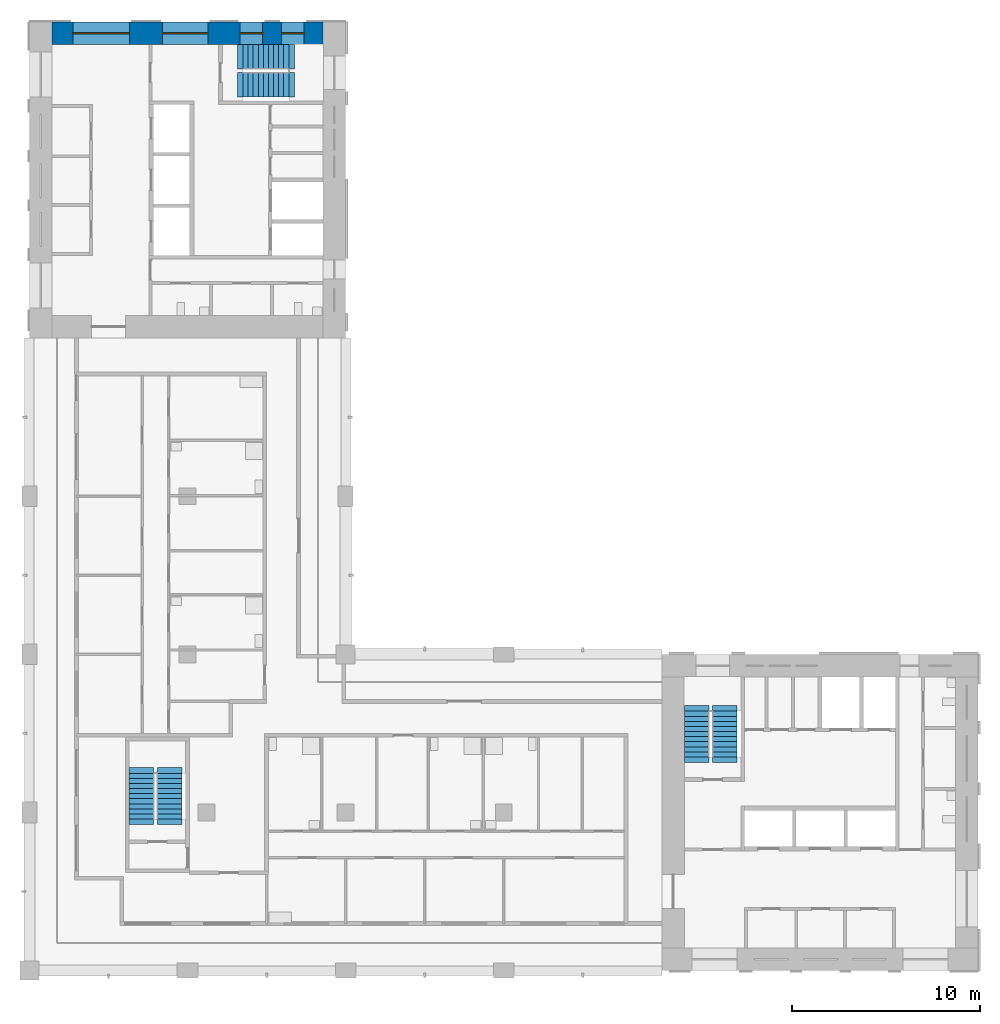
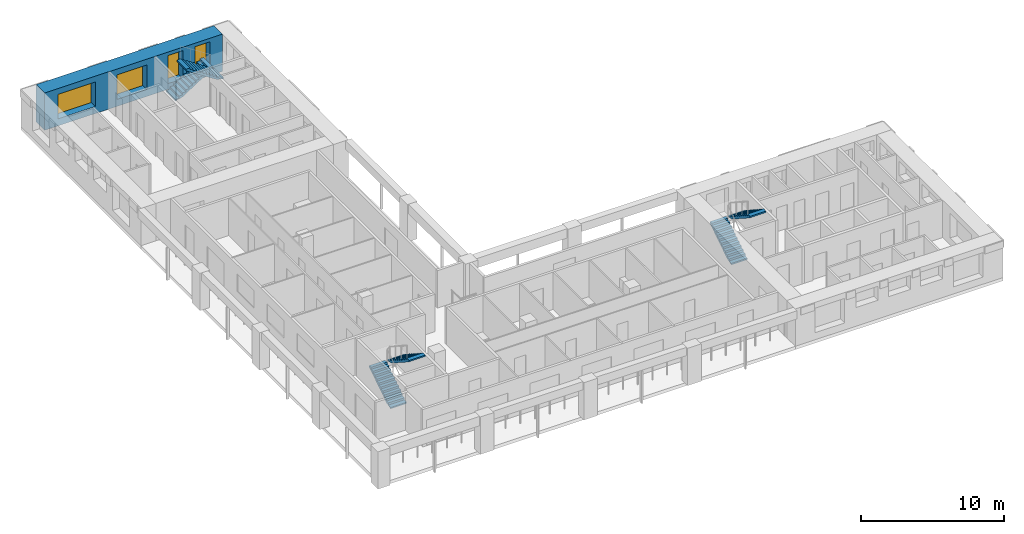
# One storey, part 7 of 10: 6 stair flights, 4 windows, 1 wall, 4 openings, 3 elements without a shape of their own.
"""IFC4 building model written with IfcOpenShell, lengths in metres."""

from ifc_helpers import new_model, si_unit, direction, frame, frame_2d, origin, place, context, subcontext, project, spatial, polyline, rectangle, outline, extrude, material, layer, layer_set, type_object, element, fill, aggregate, save


model = new_model("IFC4")

# Units and contexts
model_context = context("Model", 3, precision=1e-05, world=origin(), true_north=direction((0.0, 1.0)))
body_context = subcontext(model_context, "Body", "Model", "MODEL_VIEW")
ifc_project = project(units=[si_unit("LENGTHUNIT", "METRE"), si_unit("AREAUNIT", "SQUARE_METRE"), si_unit("VOLUMEUNIT", "CUBIC_METRE"), si_unit("PLANEANGLEUNIT", "RADIAN"), si_unit("MASSUNIT", "GRAM", prefix="KILO")], contexts=[model_context])

# Site, building, storey
site_placement = place(None, origin())
site = spatial("IfcSite", under=ifc_project, at=site_placement, CompositionType="ELEMENT")
building_placement = place(site_placement, origin())
building = spatial("IfcBuilding", under=site, at=building_placement, Name="Vermilion Gate Residences", CompositionType="ELEMENT")
storey_placement = place(building_placement, frame((0.0, 0.0, 273.699951171875)))
storey = spatial("IfcBuildingStorey", under=building, at=storey_placement, Name="L72", CompositionType="ELEMENT", Elevation=273.699951171875)

# Wall, openings, windows
ifc_material_1 = material(Name="Concrete C50 red-oxide pigmented", Category="concrete")
ifc_layer = layer(ifc_material_1, 1.199951171875)
ifc_layer_set = layer_set([ifc_layer], Name="RC CORE WALL 1200 C50 RED OXIDE")
wall_type = type_object("IfcWallType", Name="RC CORE WALL 1200 C50 RED OXIDE", PredefinedType="SHEAR", material=ifc_layer_set)
wall_placement = place(storey_placement, frame((9.60009765625, 58.199951171875, 0.0), z_axis=(0.0, 0.0, 1.0), x_axis=(1.0, 0.0, 0.0)))
wall = element("IfcWall", 1, at=wall_placement, inside=storey, type_object=wall_type, Name="Core wall B72-OUT-FR", PredefinedType="SHEAR", context=body_context, shape_type="SweptSolid", body=[
    extrude(rectangle(XDim=14.39990234375, YDim=1.199951171875, at=frame_2d((7.199951171875, 0.0))), origin(), (0.0, 0.0, 1.0), 3.199951171875),
])
opening_1_placement = place(wall_placement, frame((1.10498046875, 0.0, 0.60009765625)))
opening_1 = element("IfcOpeningElement", 2, at=opening_1_placement, cuts=wall, Name="Opening WKB7212", PredefinedType="OPENING", context=body_context, shape_type="SweptSolid", body=[
    extrude(rectangle(XDim=3.0, YDim=2.10009765625, at=frame_2d((1.5, 1.050048828125))), frame((0.0, 0.60986328125, 0.0), z_axis=(0.0, -1.0, 0.0), x_axis=(1.0, 0.0, 0.0)), (0.0, 0.0, 1.0), 1.219970703125),
])
opening_2_placement = place(wall_placement, frame((5.875, 0.0, 0.60009765625)))
opening_2 = element("IfcOpeningElement", 3, at=opening_2_placement, cuts=wall, Name="Opening WKB7213", PredefinedType="OPENING", context=body_context, shape_type="SweptSolid", body=[
    extrude(rectangle(XDim=2.39990234375, YDim=2.10009765625, at=frame_2d((1.199951171875, 1.050048828125))), frame((0.0, 0.60986328125, 0.0), z_axis=(0.0, -1.0, 0.0), x_axis=(1.0, 0.0, 0.0)), (0.0, 0.0, 1.0), 1.219970703125),
])
opening_3_placement = place(wall_placement, frame((9.993408203125, 0.0, 0.5)))
opening_3 = element("IfcOpeningElement", 4, at=opening_3_placement, cuts=wall, Name="Opening WKB7214", PredefinedType="OPENING", context=body_context, shape_type="SweptSolid", body=[
    extrude(rectangle(XDim=1.199951171875, YDim=2.39990234375, at=frame_2d((0.60009765625, 1.199951171875))), frame((0.0, 0.60986328125, 0.0), z_axis=(0.0, -1.0, 0.0), x_axis=(1.0, 0.0, 0.0)), (0.0, 0.0, 1.0), 1.219970703125),
])
opening_4_placement = place(wall_placement, frame((12.19677734375, 0.0, 0.5)))
opening_4 = element("IfcOpeningElement", 5, at=opening_4_placement, cuts=wall, Name="Opening WKB7215", PredefinedType="OPENING", context=body_context, shape_type="SweptSolid", body=[
    extrude(rectangle(XDim=1.199951171875, YDim=2.39990234375, at=frame_2d((0.60009765625, 1.199951171875))), frame((0.0, 0.60986328125, 0.0), z_axis=(0.0, -1.0, 0.0), x_axis=(1.0, 0.0, 0.0)), (0.0, 0.0, 1.0), 1.219970703125),
])
ifc_material_2 = material(Name="Aluminium and clear glass", Category="aluminium")
window_type_1 = type_object("IfcWindowType", Name="CORE LOBBY WINDOW 2400 X 2100", PartitioningType="SINGLE_PANEL", PredefinedType="WINDOW", material=ifc_material_2)
window_1_placement = place(opening_2_placement, origin())
window_1 = element("IfcWindow", 6, at=window_1_placement, inside=storey, type_object=window_type_1, Name="Core lobby window", OverallHeight=2.10009765625, OverallWidth=2.39990234375, PartitioningType="SINGLE_PANEL", PredefinedType="WINDOW", context=body_context, shape_type="SweptSolid", body=[
    extrude(rectangle(XDim=2.39990234375, YDim=2.10009765625, at=frame_2d((1.199951171875, 1.050048828125))), frame((0.0, 0.030029296875, 0.0), z_axis=(0.0, -1.0, 0.0), x_axis=(1.0, 0.0, 0.0)), (0.0, 0.0, 1.0), 0.06005859375),
])
fill(opening_2, window_1)
ifc_material_3 = material(Name="Aluminium and clear glass", Category="aluminium")
window_type_2 = type_object("IfcWindowType", Name="CORE LOBBY WINDOW 3000 X 2100", PartitioningType="SINGLE_PANEL", PredefinedType="WINDOW", material=ifc_material_3)
window_2_placement = place(opening_1_placement, origin())
window_2 = element("IfcWindow", 7, at=window_2_placement, inside=storey, type_object=window_type_2, Name="Core lobby window", OverallHeight=2.10009765625, OverallWidth=3.0, PartitioningType="SINGLE_PANEL", PredefinedType="WINDOW", context=body_context, shape_type="SweptSolid", body=[
    extrude(rectangle(XDim=3.0, YDim=2.10009765625, at=frame_2d((1.5, 1.050048828125))), frame((0.0, 0.030029296875, 0.0), z_axis=(0.0, -1.0, 0.0), x_axis=(1.0, 0.0, 0.0)), (0.0, 0.0, 1.0), 0.06005859375),
])
fill(opening_1, window_2)
ifc_material_4 = material(Name="Aluminium and clear glass", Category="aluminium")
window_type_3 = type_object("IfcWindowType", Name="CORE STAIR WINDOW 1200 X 2400", PartitioningType="SINGLE_PANEL", PredefinedType="WINDOW", material=ifc_material_4)
window_3_placement = place(opening_3_placement, origin())
window_3 = element("IfcWindow", 8, at=window_3_placement, inside=storey, type_object=window_type_3, Name="Core stair window", OverallHeight=2.39990234375, OverallWidth=1.199951171875, PartitioningType="SINGLE_PANEL", PredefinedType="WINDOW", context=body_context, shape_type="SweptSolid", body=[
    extrude(rectangle(XDim=1.199951171875, YDim=2.39990234375, at=frame_2d((0.60009765625, 1.199951171875))), frame((0.0, 0.030029296875, 0.0), z_axis=(0.0, -1.0, 0.0), x_axis=(1.0, 0.0, 0.0)), (0.0, 0.0, 1.0), 0.06005859375),
])
fill(opening_3, window_3)
window_4_placement = place(opening_4_placement, origin())
window_4 = element("IfcWindow", 9, at=window_4_placement, inside=storey, type_object=window_type_3, Name="Core stair window", OverallHeight=2.39990234375, OverallWidth=1.199951171875, PartitioningType="SINGLE_PANEL", PredefinedType="WINDOW", context=body_context, shape_type="SweptSolid", body=[
    extrude(rectangle(XDim=1.199951171875, YDim=2.39990234375, at=frame_2d((0.60009765625, 1.199951171875))), frame((0.0, 0.030029296875, 0.0), z_axis=(0.0, -1.0, 0.0), x_axis=(1.0, 0.0, 0.0)), (0.0, 0.0, 1.0), 0.06005859375),
])
fill(opening_4, window_4)

# Stair, stair flights
ifc_material_5 = material(Name="Concrete C50", Category="concrete")
stair_type = type_object("IfcStairType", Name="SPECIAL ESCAPE STAIR 1300", PredefinedType="HALF_TURN_STAIR", material=ifc_material_5)
stair_1_placement = place(storey_placement, origin())
stair_1 = element("IfcStair", 10, at=stair_1_placement, inside=storey, type_object=stair_type, Name="Special escape stair STA1-72", PredefinedType="HALF_TURN_STAIR")
ifc_material_6 = material(Name="Concrete C50", Category="concrete")
stair_flight_type = type_object("IfcStairFlightType", Name="STAIR FLIGHT 1300 RC C50", PredefinedType="STRAIGHT", material=ifc_material_6)
stair_flight_1_placement = place(storey_placement, frame((43.85009765625, 19.75, 0.0), z_axis=(0.0, 0.0, 1.0), x_axis=(0.0, 1.0, 0.0)))
stair_flight_1 = element("IfcStairFlight", 11, at=stair_flight_1_placement, type_object=stair_flight_type, Name="STA1-72 flight 1", NumberOfRisers=10, NumberOfTreads=9, PredefinedType="STRAIGHT", RiserHeight=0.175, TreadLength=0.27, context=body_context, shape_type="SweptSolid", body=[
    extrude(outline(polyline([(-0.300048828125, -0.14990234375), (-0.300048828125, -0.030029296875), (0.0, 0.0), (0.0, 0.175048828125), (0.27001953125, 0.175048828125), (0.27001953125, 0.35009765625), (0.5400390625, 0.35009765625), (0.5400390625, 0.52490234375), (0.81005859375, 0.52490234375), (0.81005859375, 0.699951171875), (1.080078125, 0.699951171875), (1.080078125, 0.875), (1.35009765625, 0.875), (1.35009765625, 1.050048828125), (1.6201171875, 1.050048828125), (1.6201171875, 1.22509765625), (1.889892578125, 1.22509765625), (1.889892578125, 1.39990234375), (2.159912109375, 1.39990234375), (2.159912109375, 1.574951171875), (2.429931640625, 1.574951171875), (2.429931640625, 1.75), (2.72998046875, 1.719970703125), (2.72998046875, 1.60009765625), (2.429931640625, 1.396484375), (0.275634765625, 0.0), (-0.300048828125, -0.14990234375)])), frame((0.0, 0.64990234375, 0.0), z_axis=(0.0, -1.0, 0.0), x_axis=(1.0, 0.0, 0.0)), (0.0, 0.0, 1.0), 1.300048828125),
])
stair_flight_2_placement = place(storey_placement, frame((45.35009765625, 22.179931640625, 1.75), z_axis=(0.0, 0.0, 1.0), x_axis=(0.0, -1.0, 0.0)))
stair_flight_2 = element("IfcStairFlight", 12, at=stair_flight_2_placement, type_object=stair_flight_type, Name="STA1-72 flight 2", NumberOfRisers=10, NumberOfTreads=9, PredefinedType="STRAIGHT", RiserHeight=0.175, TreadLength=0.27, context=body_context, shape_type="SweptSolid", body=[
    extrude(outline(polyline([(-0.300048828125, -0.14990234375), (-0.300048828125, -0.030029296875), (0.0, 0.0), (0.0, 0.175048828125), (0.27001953125, 0.175048828125), (0.27001953125, 0.35009765625), (0.5400390625, 0.35009765625), (0.5400390625, 0.52490234375), (0.81005859375, 0.52490234375), (0.81005859375, 0.699951171875), (1.080078125, 0.699951171875), (1.080078125, 0.875), (1.35009765625, 0.875), (1.35009765625, 1.050048828125), (1.6201171875, 1.050048828125), (1.6201171875, 1.22509765625), (1.889892578125, 1.22509765625), (1.889892578125, 1.39990234375), (2.159912109375, 1.39990234375), (2.159912109375, 1.574951171875), (2.429931640625, 1.574951171875), (2.429931640625, 1.75), (2.72998046875, 1.719970703125), (2.72998046875, 1.60009765625), (2.429931640625, 1.396484375), (0.275634765625, 0.0), (-0.300048828125, -0.14990234375)])), frame((0.0, 0.64990234375, 0.0), z_axis=(0.0, -1.0, 0.0), x_axis=(1.0, 0.0, 0.0)), (0.0, 0.0, 1.0), 1.300048828125),
])
aggregate(stair_1, [stair_flight_1, stair_flight_2])

stair_2_placement = place(storey_placement, origin())
stair_2 = element("IfcStair", 13, at=stair_2_placement, inside=storey, type_object=stair_type, Name="Special escape stair STB1-72", PredefinedType="HALF_TURN_STAIR")
stair_flight_3_placement = place(storey_placement, frame((19.75, 56.949951171875, 0.0), z_axis=(0.0, 0.0, 1.0), x_axis=(1.0, 0.0, 0.0)))
stair_flight_3 = element("IfcStairFlight", 14, at=stair_flight_3_placement, type_object=stair_flight_type, Name="STB1-72 flight 1", NumberOfRisers=10, NumberOfTreads=9, PredefinedType="STRAIGHT", RiserHeight=0.175, TreadLength=0.27, context=body_context, shape_type="SweptSolid", body=[
    extrude(outline(polyline([(-0.300048828125, -0.14990234375), (-0.300048828125, -0.030029296875), (0.0, 0.0), (0.0, 0.175048828125), (0.27001953125, 0.175048828125), (0.27001953125, 0.35009765625), (0.5400390625, 0.35009765625), (0.5400390625, 0.52490234375), (0.81005859375, 0.52490234375), (0.81005859375, 0.699951171875), (1.080078125, 0.699951171875), (1.080078125, 0.875), (1.35009765625, 0.875), (1.35009765625, 1.050048828125), (1.6201171875, 1.050048828125), (1.6201171875, 1.22509765625), (1.889892578125, 1.22509765625), (1.889892578125, 1.39990234375), (2.159912109375, 1.39990234375), (2.159912109375, 1.574951171875), (2.429931640625, 1.574951171875), (2.429931640625, 1.75), (2.72998046875, 1.719970703125), (2.72998046875, 1.60009765625), (2.429931640625, 1.396484375), (0.275634765625, 0.0), (-0.300048828125, -0.14990234375)])), frame((0.0, 0.64990234375, 0.0), z_axis=(0.0, -1.0, 0.0), x_axis=(1.0, 0.0, 0.0)), (0.0, 0.0, 1.0), 1.300048828125),
])
stair_flight_4_placement = place(storey_placement, frame((22.179931640625, 55.449951171875, 1.75), z_axis=(0.0, 0.0, 1.0), x_axis=(-1.0, 0.0, 0.0)))
stair_flight_4 = element("IfcStairFlight", 15, at=stair_flight_4_placement, type_object=stair_flight_type, Name="STB1-72 flight 2", NumberOfRisers=10, NumberOfTreads=9, PredefinedType="STRAIGHT", RiserHeight=0.175, TreadLength=0.27, context=body_context, shape_type="SweptSolid", body=[
    extrude(outline(polyline([(-0.300048828125, -0.14990234375), (-0.300048828125, -0.030029296875), (0.0, 0.0), (0.0, 0.175048828125), (0.27001953125, 0.175048828125), (0.27001953125, 0.35009765625), (0.5400390625, 0.35009765625), (0.5400390625, 0.52490234375), (0.81005859375, 0.52490234375), (0.81005859375, 0.699951171875), (1.080078125, 0.699951171875), (1.080078125, 0.875), (1.35009765625, 0.875), (1.35009765625, 1.050048828125), (1.6201171875, 1.050048828125), (1.6201171875, 1.22509765625), (1.889892578125, 1.22509765625), (1.889892578125, 1.39990234375), (2.159912109375, 1.39990234375), (2.159912109375, 1.574951171875), (2.429931640625, 1.574951171875), (2.429931640625, 1.75), (2.72998046875, 1.719970703125), (2.72998046875, 1.60009765625), (2.429931640625, 1.396484375), (0.275634765625, 0.0), (-0.300048828125, -0.14990234375)])), frame((0.0, 0.64990234375, 0.0), z_axis=(0.0, -1.0, 0.0), x_axis=(1.0, 0.0, 0.0)), (0.0, 0.0, 1.0), 1.300048828125),
])
aggregate(stair_2, [stair_flight_3, stair_flight_4])

stair_3_placement = place(storey_placement, origin())
stair_3 = element("IfcStair", 16, at=stair_3_placement, inside=storey, type_object=stair_type, Name="Special escape stair STC1-72", PredefinedType="HALF_TURN_STAIR")
stair_flight_5_placement = place(storey_placement, frame((14.35009765625, 16.449951171875, 0.0), z_axis=(0.0, 0.0, 1.0), x_axis=(0.0, 1.0, 0.0)))
stair_flight_5 = element("IfcStairFlight", 17, at=stair_flight_5_placement, type_object=stair_flight_type, Name="STC1-72 flight 1", NumberOfRisers=10, NumberOfTreads=9, PredefinedType="STRAIGHT", RiserHeight=0.175, TreadLength=0.27, context=body_context, shape_type="SweptSolid", body=[
    extrude(outline(polyline([(-0.300048828125, -0.14990234375), (-0.300048828125, -0.030029296875), (0.0, 0.0), (0.0, 0.175048828125), (0.27001953125, 0.175048828125), (0.27001953125, 0.35009765625), (0.5400390625, 0.35009765625), (0.5400390625, 0.52490234375), (0.81005859375, 0.52490234375), (0.81005859375, 0.699951171875), (1.080078125, 0.699951171875), (1.080078125, 0.875), (1.35009765625, 0.875), (1.35009765625, 1.050048828125), (1.6201171875, 1.050048828125), (1.6201171875, 1.22509765625), (1.889892578125, 1.22509765625), (1.889892578125, 1.39990234375), (2.159912109375, 1.39990234375), (2.159912109375, 1.574951171875), (2.429931640625, 1.574951171875), (2.429931640625, 1.75), (2.72998046875, 1.719970703125), (2.72998046875, 1.60009765625), (2.429931640625, 1.396484375), (0.275634765625, 0.0), (-0.300048828125, -0.14990234375)])), frame((0.0, 0.64990234375, 0.0), z_axis=(0.0, -1.0, 0.0), x_axis=(1.0, 0.0, 0.0)), (0.0, 0.0, 1.0), 1.300048828125),
])
stair_flight_6_placement = place(storey_placement, frame((15.85009765625, 18.8798828125, 1.75), z_axis=(0.0, 0.0, 1.0), x_axis=(0.0, -1.0, 0.0)))
stair_flight_6 = element("IfcStairFlight", 18, at=stair_flight_6_placement, type_object=stair_flight_type, Name="STC1-72 flight 2", NumberOfRisers=10, NumberOfTreads=9, PredefinedType="STRAIGHT", RiserHeight=0.175, TreadLength=0.27, context=body_context, shape_type="SweptSolid", body=[
    extrude(outline(polyline([(-0.300048828125, -0.14990234375), (-0.300048828125, -0.030029296875), (0.0, 0.0), (0.0, 0.175048828125), (0.27001953125, 0.175048828125), (0.27001953125, 0.35009765625), (0.5400390625, 0.35009765625), (0.5400390625, 0.52490234375), (0.81005859375, 0.52490234375), (0.81005859375, 0.699951171875), (1.080078125, 0.699951171875), (1.080078125, 0.875), (1.35009765625, 0.875), (1.35009765625, 1.050048828125), (1.6201171875, 1.050048828125), (1.6201171875, 1.22509765625), (1.889892578125, 1.22509765625), (1.889892578125, 1.39990234375), (2.159912109375, 1.39990234375), (2.159912109375, 1.574951171875), (2.429931640625, 1.574951171875), (2.429931640625, 1.75), (2.72998046875, 1.719970703125), (2.72998046875, 1.60009765625), (2.429931640625, 1.396484375), (0.275634765625, 0.0), (-0.300048828125, -0.14990234375)])), frame((0.0, 0.64990234375, 0.0), z_axis=(0.0, -1.0, 0.0), x_axis=(1.0, 0.0, 0.0)), (0.0, 0.0, 1.0), 1.300048828125),
])
aggregate(stair_3, [stair_flight_5, stair_flight_6])

save(model, "model.ifc")
